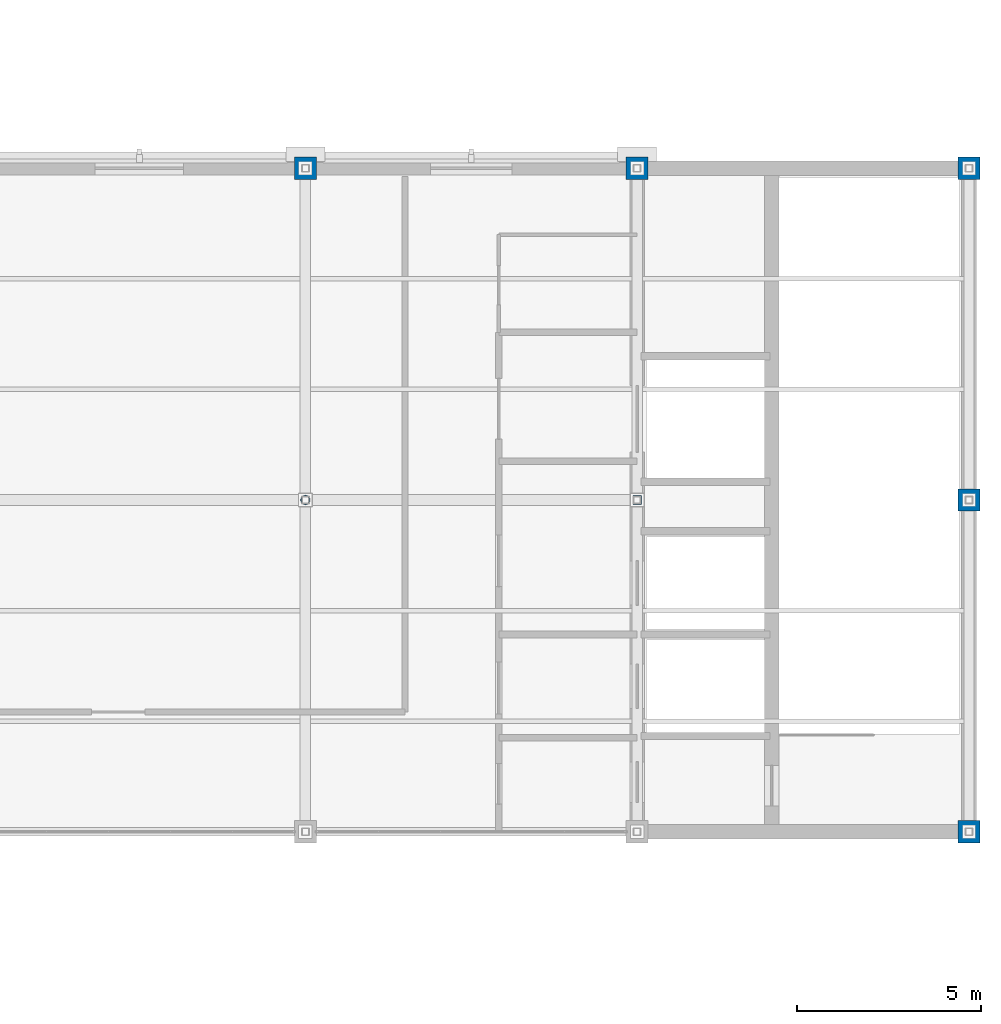
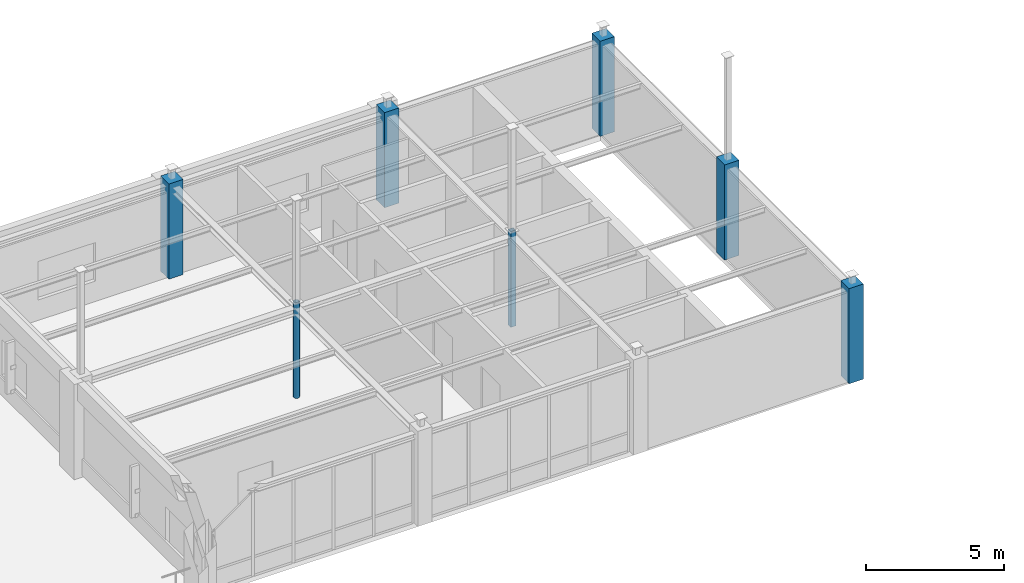
# One storey, part 9 of 97: 7 columns.
"""IFC4 building model written with IfcOpenShell, lengths in metres."""

import ifcopenshell
import ifcopenshell.guid

model = None  # the IFC model being written
_history = None  # IfcOwnerHistory: only IFC2X3 demands one
_inside = {}  # id of a spatial element -> (the spatial element, [elements in it])
_under = {}  # id of a project, library or spatial element -> (it, [spatial elements below it])
_declared = {}  # id of a project -> (the project, [libraries it declares])
_typed = {}  # id of a type object -> (the type object, [elements of that type])
_made_of = {}  # id of a material, layer set ... -> (it, [elements and type objects made of it])


def new_model(schema):
    """Start an empty IFC model of exactly this schema.

    Asked for "IFC4X3", IfcOpenShell would pick the latest addendum, in which some entities
    have other attributes; the version numbers below select the first issue.
    IFC2X3 requires an IfcOwnerHistory on every rooted entity: one is made here for all.
    """
    global model, _history
    if schema == "IFC4X3":
        model = ifcopenshell.file(schema_version=(4, 3, 0, 0))
    else:
        model = ifcopenshell.file(schema=schema)
    _inside.clear()
    _under.clear()
    _declared.clear()
    _typed.clear()
    _made_of.clear()
    _history = None
    if model.schema == "IFC2X3":
        org = make("IfcOrganization", Name="unknown")
        user = make(
            "IfcPersonAndOrganization",
            ThePerson=make("IfcPerson", FamilyName="unknown"),
            TheOrganization=org,
        )
        app = make(
            "IfcApplication",
            ApplicationDeveloper=org,
            Version="unknown",
            ApplicationFullName="unknown",
            ApplicationIdentifier="unknown",
        )
        _history = make(
            "IfcOwnerHistory",
            OwningUser=user,
            OwningApplication=app,
            ChangeAction="ADDED",
            CreationDate=0,
        )
    return model


def make(cls, **values):
    """One entity of the class cls with the attributes given. An attribute that is None is left unset."""
    return model.create_entity(
        cls, **{name: value for name, value in values.items() if value is not None}
    )


def rooted(cls, **values):
    """An entity with a GlobalId (a new one), such as an element, a storey or a relation."""
    return make(cls, GlobalId=ifcopenshell.guid.new(), OwnerHistory=_history, **values)


def si_unit(unit_type, name, prefix=None):
    """IfcSIUnit, for example si_unit("LENGTHUNIT", "METRE", prefix="MILLI")."""
    return make("IfcSIUnit", UnitType=unit_type, Prefix=prefix, Name=name)


def assignment(units):
    """IfcUnitAssignment: the units of a project."""
    return None if units is None else make("IfcUnitAssignment", Units=units)


def point(xyz):
    """IfcCartesianPoint."""
    return None if xyz is None else make("IfcCartesianPoint", Coordinates=xyz)


def direction(xyz):
    """IfcDirection."""
    return None if xyz is None else make("IfcDirection", DirectionRatios=xyz)


def frame(location, z_axis=None, x_axis=None):
    """IfcAxis2Placement3D, a coordinate frame: its origin and axes. An axis left out is left unset."""
    return make(
        "IfcAxis2Placement3D",
        Location=point(location),
        Axis=direction(z_axis),
        RefDirection=direction(x_axis),
    )


def frame_2d(location, x_axis=None):
    """IfcAxis2Placement2D, a coordinate frame in the plane: its origin and x axis."""
    return make(
        "IfcAxis2Placement2D", Location=point(location), RefDirection=direction(x_axis)
    )


def origin():
    """The frame at (0, 0, 0) with its axes left unset."""
    return frame((0.0, 0.0, 0.0))


def origin_2d():
    """The frame at (0, 0) in the plane with its x axis left unset."""
    return frame_2d((0.0, 0.0))


def place(relative_to, where):
    """IfcLocalPlacement: puts the frame where relative to a parent placement (None: the world)."""
    return make(
        "IfcLocalPlacement", PlacementRelTo=relative_to, RelativePlacement=where
    )


def context(
    kind, dimensions, precision=None, world=None, true_north=None, identifier=None
):
    """IfcGeometricRepresentationContext, for example the 3D "Model" context."""
    return make(
        "IfcGeometricRepresentationContext",
        ContextIdentifier=identifier,
        ContextType=kind,
        CoordinateSpaceDimension=dimensions,
        Precision=precision,
        WorldCoordinateSystem=world,
        TrueNorth=true_north,
    )


def subcontext(parent, identifier, kind, view, scale=None):
    """IfcGeometricRepresentationSubContext, for example "Body" below "Model"."""
    return make(
        "IfcGeometricRepresentationSubContext",
        ContextIdentifier=identifier,
        ContextType=kind,
        ParentContext=parent,
        TargetScale=scale,
        TargetView=view,
    )


def project(units=None, contexts=None):
    """IfcProject with its units and contexts."""
    return rooted(
        "IfcProject",
        Name="project",
        RepresentationContexts=contexts,
        UnitsInContext=assignment(units),
    )


def spatial(cls, under=None, at=None, **own):
    """A site, building, storey or space (cls), placed at a placement, below another one or the project."""
    s = rooted(cls, ObjectPlacement=at, **own)
    if under is not None:
        _under.setdefault(under.id(), (under, []))[1].append(s)
    return s


def profile(cls, at=None, kind="AREA", **sizes):
    """A parametric profile (cls). Its sizes go by their IFC names, for example OverallWidth=200.0."""
    return make(cls, ProfileType=kind, Position=at, **sizes)


def rectangle(**sizes):
    """IfcRectangleProfileDef."""
    return profile("IfcRectangleProfileDef", **sizes)


def hollow_rectangle(**sizes):
    """IfcRectangleHollowProfileDef."""
    return profile("IfcRectangleHollowProfileDef", **sizes)


def hollow_circle(**sizes):
    """IfcCircleHollowProfileDef."""
    return profile("IfcCircleHollowProfileDef", **sizes)


def extrude(swept, where, along, depth):
    """IfcExtrudedAreaSolid: the profile swept, set in the frame where, extruded along a direction by depth."""
    return make(
        "IfcExtrudedAreaSolid",
        SweptArea=swept,
        Position=where,
        ExtrudedDirection=direction(along),
        Depth=depth,
    )


def shape(context_of_items, identifier, shape_type, items):
    """IfcShapeRepresentation: the items that make up one representation, for example the "Body"."""
    return make(
        "IfcShapeRepresentation",
        ContextOfItems=context_of_items,
        RepresentationIdentifier=identifier,
        RepresentationType=shape_type,
        Items=items,
    )


def material(Name=None, Category=None):
    """IfcMaterial."""
    return make("IfcMaterial", Name=Name, Category=Category)


def material_profile(
    of_material, cross_section, Name=None, Category=None, Priority=None
):
    """IfcMaterialProfile: a cross section and its material."""
    return make(
        "IfcMaterialProfile",
        Name=Name,
        Material=of_material,
        Profile=cross_section,
        Priority=Priority,
        Category=Category,
    )


def profile_set(profiles, Name=None, composite=None):
    """IfcMaterialProfileSet."""
    return make(
        "IfcMaterialProfileSet",
        Name=Name,
        MaterialProfiles=profiles,
        CompositeProfile=composite,
    )


def made_of(thing, what):
    """Note that an element or type object is made of a material, layer set ...; save() writes the relation."""
    if what is not None:
        _made_of.setdefault(what.id(), (what, []))[1].append(thing)
    return thing


def type_object(cls, material=None, **own):
    """A type object (cls), such as IfcWallType, which elements share."""
    return made_of(rooted(cls, **own), material)


def element(
    cls,
    number,
    at=None,
    inside=None,
    cuts=None,
    type_object=None,
    material=None,
    context=None,
    identifier="Body",
    shape_type=None,
    held_by="IfcProductDefinitionShape",
    body=None,
    shapes=None,
    **own,
):
    """One element of the class cls, such as IfcWall. Its Tag is "e" and its number.

    at: its placement. inside: the storey or other place that contains it. cuts: it is an
    opening in that element (IfcRelVoidsElement). A single representation is given by context,
    identifier, shape_type and body (its items); several are given by shapes. held_by: the class
    of the entity that holds the representations. save() writes the other relations.
    """
    e = rooted(cls, Tag="e%d" % number, ObjectPlacement=at, **own)
    if body is not None:
        shapes = [shape(context, identifier, shape_type, body)]
    if shapes is not None:
        e.Representation = make(held_by, Representations=shapes)
    if inside is not None:
        _inside.setdefault(inside.id(), (inside, []))[1].append(e)
    if cuts is not None:
        rooted(
            "IfcRelVoidsElement", RelatingBuildingElement=cuts, RelatedOpeningElement=e
        )
    if type_object is not None:
        _typed.setdefault(type_object.id(), (type_object, []))[1].append(e)
    return made_of(e, material)


def aggregate(whole, parts):
    """IfcRelAggregates: a whole, such as a stair, and the parts it consists of."""
    return rooted("IfcRelAggregates", RelatingObject=whole, RelatedObjects=parts)


def save(model, path):
    """Write the relations noted so far, then the file.

    IfcRelAggregates (storeys below a building ...), IfcRelContainedInSpatialStructure (elements
    in a storey), IfcRelDefinesByType, IfcRelAssociatesMaterial and IfcRelDeclares: one each for
    every whole, place, type object, material and project.
    """
    for whole, parts in _under.values():
        aggregate(whole, parts)
    for where, things in _inside.values():
        rooted(
            "IfcRelContainedInSpatialStructure",
            RelatedElements=things,
            RelatingStructure=where,
        )
    for kind, things in _typed.values():
        rooted("IfcRelDefinesByType", RelatedObjects=things, RelatingType=kind)
    for what, things in _made_of.values():
        rooted("IfcRelAssociatesMaterial", RelatedObjects=things, RelatingMaterial=what)
    for by, libraries in _declared.values():
        rooted("IfcRelDeclares", RelatingContext=by, RelatedDefinitions=libraries)
    model.write(path)


model = new_model("IFC4")

# Units and contexts
model_context = context("Model", 3, precision=1e-05, world=origin(), true_north=direction((0.0, 1.0)))
body_context = subcontext(model_context, "Body", "Model", "MODEL_VIEW")
ifc_project = project(units=[si_unit("LENGTHUNIT", "METRE"), si_unit("AREAUNIT", "SQUARE_METRE"), si_unit("VOLUMEUNIT", "CUBIC_METRE"), si_unit("PLANEANGLEUNIT", "RADIAN"), si_unit("MASSUNIT", "GRAM", prefix="KILO")], contexts=[model_context])

# Site, building, storey
site_placement = place(None, origin())
site = spatial("IfcSite", under=ifc_project, at=site_placement, CompositionType="ELEMENT")
building_placement = place(site_placement, origin())
building = spatial("IfcBuilding", under=site, at=building_placement, Name="Lykobir Media Centre", CompositionType="ELEMENT")
storey_placement = place(building_placement, frame((0.0, 0.0, 23.39990234375)))
storey = spatial("IfcBuildingStorey", under=building, at=storey_placement, Name="L05", CompositionType="ELEMENT", Elevation=23.39990234375)

# Columns
ifc_material_1 = material(Name="Concrete C40/50", Category="concrete")
ifc_material_profile_1 = material_profile(ifc_material_1, rectangle(XDim=0.60009765625, YDim=0.60009765625, at=origin_2d()), Name="RC 600x600")
ifc_profile_set_1 = profile_set([ifc_material_profile_1], Name="Concrete C40/50")
column_type_1 = type_object("IfcColumnType", Name="RC-C600", PredefinedType="COLUMN", material=ifc_profile_set_1)
for number, where, z_axis, x_axis, name in (
    (1, (117.0, 90.0, 0.0), (0.0, 0.0, 1.0), (1.0, 0.0, 0.0), "Column COL-L05-1170-0900"),
    (2, (126.0, 90.0, 0.0), (0.0, 0.0, 1.0), (1.0, 0.0, 0.0), "Column COL-L05-1260-0900"),
    (3, (135.0, 72.0, 0.0), (0.0, 0.0, 1.0), (1.0, 0.0, 0.0), "Column COL-L05-1350-0720"),
    (4, (135.0, 81.0, 0.0), (0.0, 0.0, 1.0), (1.0, 0.0, 0.0), "Column COL-L05-1350-0810"),
    (5, (135.0, 90.0, 0.0), (0.0, 0.0, 1.0), (1.0, 0.0, 0.0), "Column COL-L05-1350-0900"),
):
    element("IfcColumn", number, at=place(storey_placement, frame(where, z_axis=z_axis, x_axis=x_axis)), inside=storey, type_object=column_type_1, Name=name, PredefinedType="COLUMN", context=body_context, shape_type="SweptSolid", body=[
        extrude(rectangle(XDim=0.60009765625, YDim=0.60009765625, at=origin_2d()), origin(), (0.0, 0.0, 1.0), 4.2001953125),
    ])
ifc_material_2 = material(Name="Steel S355", Category="steel")
ifc_material_profile_2 = material_profile(ifc_material_2, hollow_circle(Radius=0.122314453125, WallThickness=0.012451171875, at=origin_2d()), Name="CHS 244.5x12.5")
ifc_profile_set_2 = profile_set([ifc_material_profile_2], Name="Steel S355")
column_type_2 = type_object("IfcColumnType", Name="SC-CHS244", PredefinedType="COLUMN", material=ifc_profile_set_2)
column_1_placement = place(storey_placement, frame((117.0, 81.0, 0.0), z_axis=(0.0, 0.0, 1.0), x_axis=(1.0, 0.0, 0.0)))
element("IfcColumn", 6, at=column_1_placement, inside=storey, type_object=column_type_2, Name="Column COL-L05-1170-0810", PredefinedType="COLUMN", context=body_context, shape_type="SweptSolid", body=[
    extrude(hollow_circle(Radius=0.122314453125, WallThickness=0.012451171875, at=origin_2d()), origin(), (0.0, 0.0, 1.0), 4.2001953125),
])
ifc_material_profile_3 = material_profile(ifc_material_2, hollow_rectangle(XDim=0.219970703125, YDim=0.219970703125, WallThickness=0.012451171875, at=origin_2d()), Name="SHS 220x220x12.5")
ifc_profile_set_3 = profile_set([ifc_material_profile_3], Name="Steel S355")
column_type_3 = type_object("IfcColumnType", Name="SC-SHS220", PredefinedType="COLUMN", material=ifc_profile_set_3)
column_2_placement = place(storey_placement, frame((126.0, 81.0, 0.0), z_axis=(0.0, 0.0, 1.0), x_axis=(1.0, 0.0, 0.0)))
element("IfcColumn", 7, at=column_2_placement, inside=storey, type_object=column_type_3, Name="Column COL-L05-1260-0810", PredefinedType="COLUMN", context=body_context, shape_type="SweptSolid", body=[
    extrude(hollow_rectangle(XDim=0.219970703125, YDim=0.219970703125, WallThickness=0.012451171875, at=origin_2d()), origin(), (0.0, 0.0, 1.0), 4.2001953125),
])

save(model, "model.ifc")
